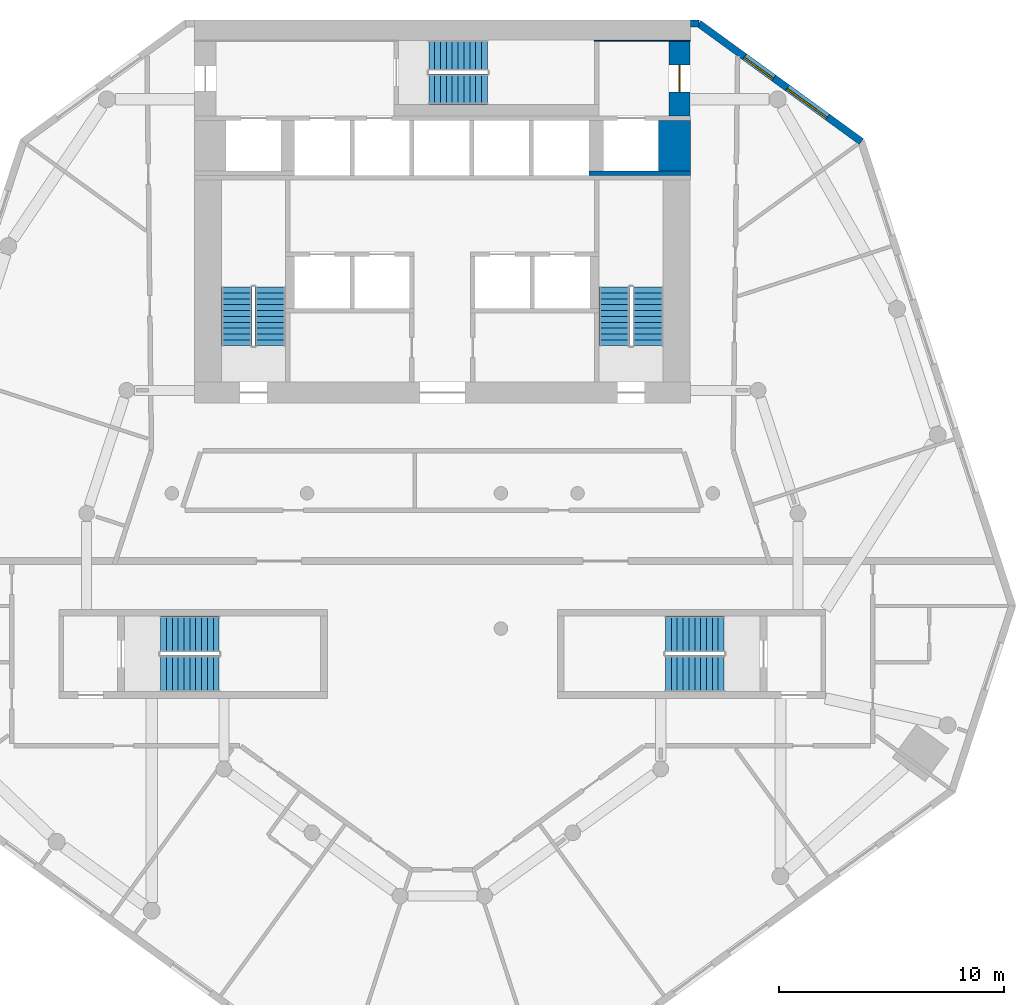
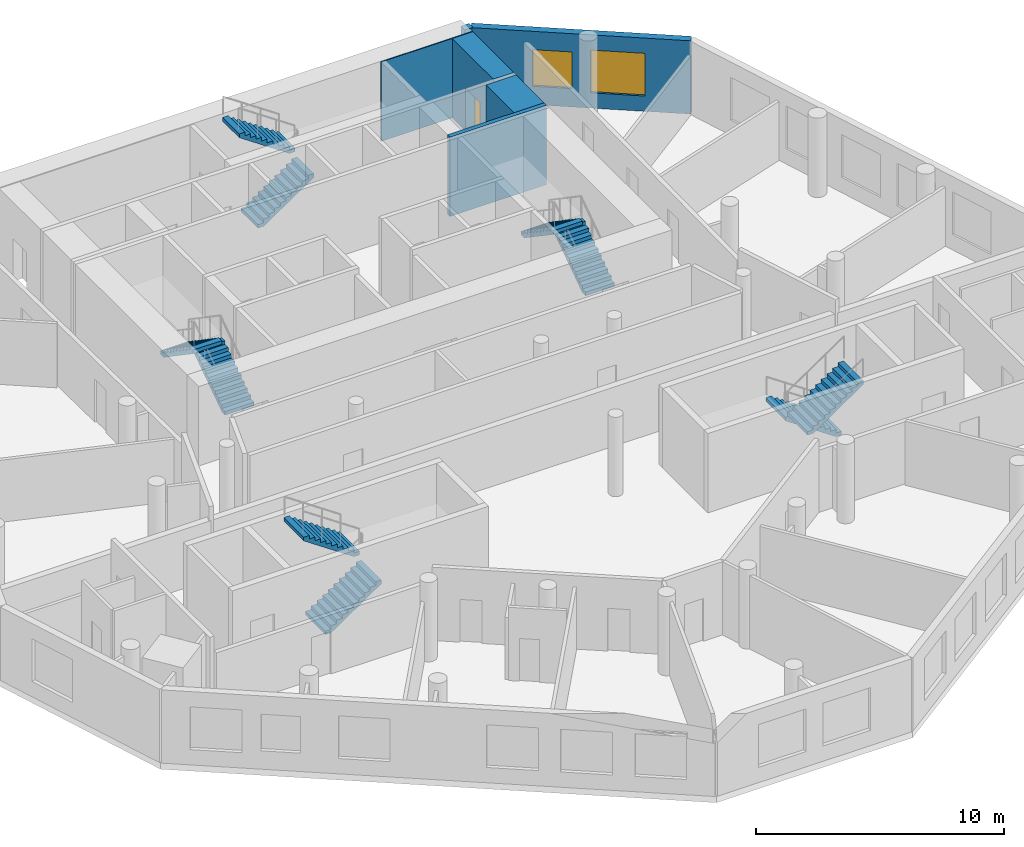
# One storey, part 6 of 8: 10 stair flights, 6 walls, 2 windows, 1 door, 3 openings, 5 elements without a shape of their own.
"""IFC4 building model written with IfcOpenShell, lengths in metres."""

from ifc_helpers import new_model, si_unit, direction, frame, frame_2d, origin, place, context, subcontext, project, spatial, polyline, rectangle, outline, extrude, material, layer, layer_set, type_object, element, fill, aggregate, save


model = new_model("IFC4")

# Units and contexts
model_context = context("Model", 3, precision=1e-05, world=origin(), true_north=direction((0.0, 1.0)))
body_context = subcontext(model_context, "Body", "Model", "MODEL_VIEW")
ifc_project = project(units=[si_unit("LENGTHUNIT", "METRE"), si_unit("AREAUNIT", "SQUARE_METRE"), si_unit("VOLUMEUNIT", "CUBIC_METRE"), si_unit("PLANEANGLEUNIT", "RADIAN"), si_unit("MASSUNIT", "GRAM", prefix="KILO")], contexts=[model_context])

# Site, building, storey
site_placement = place(None, origin())
site = spatial("IfcSite", under=ifc_project, at=site_placement, CompositionType="ELEMENT")
building_placement = place(site_placement, origin())
building = spatial("IfcBuilding", under=site, at=building_placement, Name="White Candle Pilgrim Tower", CompositionType="ELEMENT")
storey_placement = place(building_placement, frame((0.0, 0.0, 152.5)))
storey = spatial("IfcBuildingStorey", under=building, at=storey_placement, Name="L34", CompositionType="ELEMENT", Elevation=152.5)

# Walls
ifc_material_1 = material(Name="Concrete C60/75", Category="concrete")
ifc_layer_1 = layer(ifc_material_1, 1.39990234375)
ifc_layer_set_1 = layer_set([ifc_layer_1], Name="Core wall 1400 mm Concrete C60/75")
wall_type_1 = type_object("IfcWallType", Name="Core wall 1400 mm Concrete C60/75", PredefinedType="SHEAR", material=ifc_layer_set_1)
wall_1_placement = place(storey_placement, frame((80.300048828125, 81.300048828125, 0.0), z_axis=(0.0, 0.0, 1.0), x_axis=(0.0, 1.0, 0.0)))
element("IfcWall", 1, at=wall_1_placement, inside=storey, type_object=wall_type_1, Name="WL-L34-C40", PredefinedType="SHEAR", context=body_context, shape_type="SweptSolid", body=[
    extrude(rectangle(XDim=2.25, YDim=1.39990234375, at=frame_2d((1.125, 0.0))), origin(), (0.0, 0.0, 1.0), 3.89990234375),
])
ifc_layer_2 = layer(ifc_material_1, 0.199951171875)
ifc_layer_set_2 = layer_set([ifc_layer_2], Name="Core wall 200 mm Concrete C60/75")
wall_type_2 = type_object("IfcWallType", Name="Core wall 200 mm Concrete C60/75", PredefinedType="SHEAR", material=ifc_layer_set_2)
wall_2_placement = place(storey_placement, frame((76.5, 81.199951171875, 0.0), z_axis=(0.0, 0.0, 1.0), x_axis=(1.0, 0.0, 0.0)))
element("IfcWall", 2, at=wall_2_placement, inside=storey, type_object=wall_type_2, Name="WL-L34-C36", PredefinedType="SHEAR", context=body_context, shape_type="SweptSolid", body=[
    extrude(rectangle(XDim=4.5, YDim=0.199951171875, at=frame_2d((2.25, 0.0))), origin(), (0.0, 0.0, 1.0), 3.89990234375),
])

# Wall, opening, door
ifc_layer_3 = layer(ifc_material_1, 0.949951171875)
ifc_layer_set_3 = layer_set([ifc_layer_3], Name="Core wall 950 mm Concrete C60/75")
wall_type_3 = type_object("IfcWallType", Name="Core wall 950 mm Concrete C60/75", PredefinedType="SHEAR", material=ifc_layer_set_3)
wall_3_placement = place(storey_placement, frame((80.52490234375, 83.75, 0.0), z_axis=(0.0, 0.0, 1.0), x_axis=(0.0, 1.0, 0.0)))
wall_3 = element("IfcWall", 3, at=wall_3_placement, inside=storey, type_object=wall_type_3, Name="WL-L34-C44", PredefinedType="SHEAR", context=body_context, shape_type="SweptSolid", body=[
    extrude(rectangle(XDim=3.300048828125, YDim=0.949951171875, at=frame_2d((1.64990234375, 0.0))), origin(), (0.0, 0.0, 1.0), 3.89990234375),
])
opening_1_placement = place(wall_3_placement, frame((1.050048828125, 0.0, 0.0)))
opening_1 = element("IfcOpeningElement", 4, at=opening_1_placement, cuts=wall_3, Name="Opening T10-008", PredefinedType="OPENING", context=body_context, shape_type="SweptSolid", body=[
    extrude(rectangle(XDim=1.199951171875, YDim=2.10009765625, at=frame_2d((0.60009765625, 1.050048828125))), frame((0.0, 0.48486328125, 0.0), z_axis=(0.0, -1.0, 0.0), x_axis=(1.0, 0.0, 0.0)), (0.0, 0.0, 1.0), 0.969970703125),
])
ifc_material_2 = material(Name="Steel door leaf", Category="steel")
door_type = type_object("IfcDoorType", Name="Fire door 1200 x 2100 EI 30", OperationType="NOTDEFINED", PredefinedType="DOOR", material=ifc_material_2)
door_placement = place(opening_1_placement, origin())
door = element("IfcDoor", 5, at=door_placement, inside=storey, type_object=door_type, Name="Door T10-008", OperationType="SINGLE_SWING_RIGHT", OverallHeight=2.10009765625, OverallWidth=1.199951171875, PredefinedType="DOOR", context=body_context, shape_type="SweptSolid", body=[
    extrude(rectangle(XDim=1.199951171875, YDim=2.10009765625, at=frame_2d((0.60009765625, 1.050048828125))), frame((0.0, 0.02490234375, 0.0), z_axis=(0.0, -1.0, 0.0), x_axis=(1.0, 0.0, 0.0)), (0.0, 0.0, 1.0), 0.050048828125),
])
fill(opening_1, door)

# Wall, openings, windows
ifc_material_3 = material(Name="Precast concrete C40/50", Category="concrete")
ifc_layer_4 = layer(ifc_material_3, 0.320068359375)
ifc_layer_set_4 = layer_set([ifc_layer_4], Name="Facade wall EW1 precast concrete C40/50 pier wall with timber-lined reveals")
wall_type_4 = type_object("IfcWallType", Name="Facade wall EW1 precast concrete C40/50 pier wall with timber-lined reveals", PredefinedType="SOLIDWALL", material=ifc_layer_set_4)
wall_4_placement = place(storey_placement, frame((88.58935546875, 82.605712890625, 0.0), z_axis=(0.0, 0.0, 1.0), x_axis=(-0.809011042426, 0.58779344436, 0.0)))
wall_4 = element("IfcWall", 6, at=wall_4_placement, inside=storey, type_object=wall_type_4, Name="Facade wall L34 NE chamfer", PredefinedType="SOLIDWALL", context=body_context, shape_type="SweptSolid", body=[
    extrude(rectangle(XDim=8.905029296875, YDim=0.320068359375, at=frame_2d((4.45263671875, 0.0))), origin(), (0.0, 0.0, 1.0), 3.60009765625),
])
opening_2_placement = place(wall_4_placement, frame((1.8525390625, 0.0, 0.75)))
opening_2 = element("IfcOpeningElement", 7, at=opening_2_placement, cuts=wall_4, Name="Opening W4", PredefinedType="OPENING", context=body_context, shape_type="SweptSolid", body=[
    extrude(rectangle(XDim=2.199951171875, YDim=2.10009765625, at=frame_2d((1.10009765625, 1.050048828125))), frame((0.0, 0.169921875, 0.0), z_axis=(0.0, -1.0, 0.0), x_axis=(1.0, 0.0, 0.0)), (0.0, 0.0, 1.0), 0.340087890625),
])
opening_3_placement = place(wall_4_placement, frame((4.802490234375, 0.0, 0.89990234375)))
opening_3 = element("IfcOpeningElement", 8, at=opening_3_placement, cuts=wall_4, Name="Opening W2", PredefinedType="OPENING", context=body_context, shape_type="SweptSolid", body=[
    extrude(rectangle(XDim=1.60009765625, YDim=1.800048828125, at=frame_2d((0.800048828125, 0.89990234375))), frame((0.0, 0.169921875, 0.0), z_axis=(0.0, -1.0, 0.0), x_axis=(1.0, 0.0, 0.0)), (0.0, 0.0, 1.0), 0.340087890625),
])
ifc_material_4 = material(Name="Timber frame with triple glazing", Category="wood")
window_type_1 = type_object("IfcWindowType", Name="Window W2 1600x1800 timber frame triple glazing", PartitioningType="SINGLE_PANEL", PredefinedType="WINDOW", material=ifc_material_4)
window_1_placement = place(opening_3_placement, origin())
window_1 = element("IfcWindow", 9, at=window_1_placement, inside=storey, type_object=window_type_1, Name="Window W2 L34 NE chamfer 2", OverallHeight=1.800048828125, OverallWidth=1.60009765625, PartitioningType="SINGLE_PANEL", PredefinedType="WINDOW", context=body_context, shape_type="SweptSolid", body=[
    extrude(rectangle(XDim=1.60009765625, YDim=1.800048828125, at=frame_2d((0.800048828125, 0.89990234375))), frame((0.0, 0.070068359375, 0.0), z_axis=(0.0, -1.0, 0.0), x_axis=(1.0, 0.0, 0.0)), (0.0, 0.0, 1.0), 0.06005859375),
])
fill(opening_3, window_1)
window_type_2 = type_object("IfcWindowType", Name="Window W4 2200x2100 timber frame triple glazing", PartitioningType="SINGLE_PANEL", PredefinedType="WINDOW", material=ifc_material_4)
window_2_placement = place(opening_2_placement, origin())
window_2 = element("IfcWindow", 10, at=window_2_placement, inside=storey, type_object=window_type_2, Name="Window W4 L34 NE chamfer 1", OverallHeight=2.10009765625, OverallWidth=2.199951171875, PartitioningType="SINGLE_PANEL", PredefinedType="WINDOW", context=body_context, shape_type="SweptSolid", body=[
    extrude(rectangle(XDim=2.199951171875, YDim=2.10009765625, at=frame_2d((1.10009765625, 1.050048828125))), frame((0.0, 0.070068359375, 0.0), z_axis=(0.0, -1.0, 0.0), x_axis=(1.0, 0.0, 0.0)), (0.0, 0.0, 1.0), 0.06005859375),
])
fill(opening_2, window_2)

# Walls
wall_5_placement = place(storey_placement, frame((81.385009765625, 87.840087890625, 0.0), z_axis=(0.0, 0.0, 1.0), x_axis=(-1.0, 0.0, 0.0)))
element("IfcWall", 11, at=wall_5_placement, inside=storey, type_object=wall_type_4, Name="Facade wall L34 N", PredefinedType="SOLIDWALL", context=body_context, shape_type="SweptSolid", body=[
    extrude(rectangle(XDim=0.385009765625, YDim=0.320068359375, at=frame_2d((0.1923828125, 0.0))), origin(), (0.0, 0.0, 1.0), 3.60009765625),
])
ifc_layer_5 = layer(ifc_material_1, 0.050048828125)
ifc_layer_set_5 = layer_set([ifc_layer_5], Name="Stair shaft wall 50 mm Concrete C60/75")
wall_type_5 = type_object("IfcWallType", Name="Stair shaft wall 50 mm Concrete C60/75", PredefinedType="SHEAR", material=ifc_layer_set_5)
wall_6_placement = place(storey_placement, frame((76.75, 87.074951171875, 0.0), z_axis=(0.0, 0.0, 1.0), x_axis=(1.0, 0.0, 0.0)))
element("IfcWall", 12, at=wall_6_placement, inside=storey, type_object=wall_type_5, Name="WL-L34-C48", PredefinedType="SHEAR", context=body_context, shape_type="SweptSolid", body=[
    extrude(rectangle(XDim=4.25, YDim=0.050048828125, at=frame_2d((2.125, 0.0))), origin(), (0.0, 0.0, 1.0), 3.89990234375),
])

# Stair, stair flights
ifc_material_5 = material(Name="Concrete C40/50", Category="concrete")
stair_type_1 = type_object("IfcStairType", Name="Exit stair 1 flight width 1350 mm", PredefinedType="HALF_TURN_STAIR", material=ifc_material_5)
stair_1_placement = place(storey_placement, origin())
stair_1 = element("IfcStair", 13, at=stair_1_placement, inside=storey, type_object=stair_type_1, Name="L34 stair 1", PredefinedType="NOTDEFINED")
ifc_layer_6 = layer(ifc_material_5, 0.14990234375)
ifc_layer_set_6 = layer_set([ifc_layer_6], Name="Stair flight Concrete C40/50")
stair_flight_type = type_object("IfcStairFlightType", Name="Stair flight Concrete C40/50", PredefinedType="STRAIGHT", material=ifc_layer_set_6)
stair_flight_1_placement = place(storey_placement, frame((62.375, 73.550048828125, 0.0), z_axis=(0.0, 0.0, 1.0), x_axis=(0.0, 1.0, 0.0)))
stair_flight_1 = element("IfcStairFlight", 14, at=stair_flight_1_placement, type_object=stair_flight_type, Name="ST1 flight 1", NumberOfRisers=11, NumberOfTreads=10, PredefinedType="NOTDEFINED", RiserHeight=0.177272727, TreadLength=0.26, context=body_context, shape_type="SweptSolid", body=[
    extrude(outline(polyline([(0.0, 0.0), (0.0, 0.17724609375), (0.260009765625, 0.17724609375), (0.260009765625, 0.3544921875), (0.52001953125, 0.3544921875), (0.52001953125, 0.53173828125), (0.780029296875, 0.53173828125), (0.780029296875, 0.708984375), (1.0400390625, 0.708984375), (1.0400390625, 0.886474609375), (1.300048828125, 0.886474609375), (1.300048828125, 1.063720703125), (1.56005859375, 1.063720703125), (1.56005859375, 1.240966796875), (1.820068359375, 1.240966796875), (1.820068359375, 1.418212890625), (2.080078125, 1.418212890625), (2.080078125, 1.595458984375), (2.340087890625, 1.595458984375), (2.340087890625, 1.772705078125), (2.60009765625, 1.772705078125), (2.60009765625, 1.949951171875), (2.60009765625, 1.59130859375), (0.26611328125, 0.0), (0.0, 0.0)])), frame((0.0, 0.675048828125, 0.0), z_axis=(0.0, -1.0, 0.0), x_axis=(1.0, 0.0, 0.0)), (0.0, 0.0, 1.0), 1.35009765625),
])
stair_flight_2_placement = place(storey_placement, frame((60.875, 76.14990234375, 1.949951171875), z_axis=(0.0, 0.0, 1.0), x_axis=(0.0, -1.0, 0.0)))
stair_flight_2 = element("IfcStairFlight", 15, at=stair_flight_2_placement, type_object=stair_flight_type, Name="ST1 flight 2", NumberOfRisers=11, NumberOfTreads=10, PredefinedType="NOTDEFINED", RiserHeight=0.177272727, TreadLength=0.26, context=body_context, shape_type="SweptSolid", body=[
    extrude(outline(polyline([(0.0, 0.0), (0.0, 0.17724609375), (0.260009765625, 0.17724609375), (0.260009765625, 0.3544921875), (0.52001953125, 0.3544921875), (0.52001953125, 0.53173828125), (0.780029296875, 0.53173828125), (0.780029296875, 0.708984375), (1.0400390625, 0.708984375), (1.0400390625, 0.886474609375), (1.300048828125, 0.886474609375), (1.300048828125, 1.063720703125), (1.56005859375, 1.063720703125), (1.56005859375, 1.240966796875), (1.820068359375, 1.240966796875), (1.820068359375, 1.418212890625), (2.080078125, 1.418212890625), (2.080078125, 1.595458984375), (2.340087890625, 1.595458984375), (2.340087890625, 1.772705078125), (2.60009765625, 1.772705078125), (2.60009765625, 1.949951171875), (2.60009765625, 1.59130859375), (0.26611328125, 0.0), (0.0, 0.0)])), frame((0.0, 0.675048828125, 0.0), z_axis=(0.0, -1.0, 0.0), x_axis=(1.0, 0.0, 0.0)), (0.0, 0.0, 1.0), 1.35009765625),
])
aggregate(stair_1, [stair_flight_1, stair_flight_2])

stair_type_2 = type_object("IfcStairType", Name="Exit stair 2 flight width 1350 mm", PredefinedType="HALF_TURN_STAIR", material=ifc_material_5)
stair_2_placement = place(storey_placement, origin())
stair_2 = element("IfcStair", 16, at=stair_2_placement, inside=storey, type_object=stair_type_2, Name="L34 stair 2", PredefinedType="NOTDEFINED")
stair_flight_3_placement = place(storey_placement, frame((79.125, 73.550048828125, 0.0), z_axis=(0.0, 0.0, 1.0), x_axis=(0.0, 1.0, 0.0)))
stair_flight_3 = element("IfcStairFlight", 17, at=stair_flight_3_placement, type_object=stair_flight_type, Name="ST2 flight 1", NumberOfRisers=11, NumberOfTreads=10, PredefinedType="NOTDEFINED", RiserHeight=0.177272727, TreadLength=0.26, context=body_context, shape_type="SweptSolid", body=[
    extrude(outline(polyline([(0.0, 0.0), (0.0, 0.17724609375), (0.260009765625, 0.17724609375), (0.260009765625, 0.3544921875), (0.52001953125, 0.3544921875), (0.52001953125, 0.53173828125), (0.780029296875, 0.53173828125), (0.780029296875, 0.708984375), (1.0400390625, 0.708984375), (1.0400390625, 0.886474609375), (1.300048828125, 0.886474609375), (1.300048828125, 1.063720703125), (1.56005859375, 1.063720703125), (1.56005859375, 1.240966796875), (1.820068359375, 1.240966796875), (1.820068359375, 1.418212890625), (2.080078125, 1.418212890625), (2.080078125, 1.595458984375), (2.340087890625, 1.595458984375), (2.340087890625, 1.772705078125), (2.60009765625, 1.772705078125), (2.60009765625, 1.949951171875), (2.60009765625, 1.59130859375), (0.26611328125, 0.0), (0.0, 0.0)])), frame((0.0, 0.675048828125, 0.0), z_axis=(0.0, -1.0, 0.0), x_axis=(1.0, 0.0, 0.0)), (0.0, 0.0, 1.0), 1.35009765625),
])
stair_flight_4_placement = place(storey_placement, frame((77.625, 76.14990234375, 1.949951171875), z_axis=(0.0, 0.0, 1.0), x_axis=(0.0, -1.0, 0.0)))
stair_flight_4 = element("IfcStairFlight", 18, at=stair_flight_4_placement, type_object=stair_flight_type, Name="ST2 flight 2", NumberOfRisers=11, NumberOfTreads=10, PredefinedType="NOTDEFINED", RiserHeight=0.177272727, TreadLength=0.26, context=body_context, shape_type="SweptSolid", body=[
    extrude(outline(polyline([(0.0, 0.0), (0.0, 0.17724609375), (0.260009765625, 0.17724609375), (0.260009765625, 0.3544921875), (0.52001953125, 0.3544921875), (0.52001953125, 0.53173828125), (0.780029296875, 0.53173828125), (0.780029296875, 0.708984375), (1.0400390625, 0.708984375), (1.0400390625, 0.886474609375), (1.300048828125, 0.886474609375), (1.300048828125, 1.063720703125), (1.56005859375, 1.063720703125), (1.56005859375, 1.240966796875), (1.820068359375, 1.240966796875), (1.820068359375, 1.418212890625), (2.080078125, 1.418212890625), (2.080078125, 1.595458984375), (2.340087890625, 1.595458984375), (2.340087890625, 1.772705078125), (2.60009765625, 1.772705078125), (2.60009765625, 1.949951171875), (2.60009765625, 1.59130859375), (0.26611328125, 0.0), (0.0, 0.0)])), frame((0.0, 0.675048828125, 0.0), z_axis=(0.0, -1.0, 0.0), x_axis=(1.0, 0.0, 0.0)), (0.0, 0.0, 1.0), 1.35009765625),
])
aggregate(stair_2, [stair_flight_3, stair_flight_4])

stair_type_3 = type_object("IfcStairType", Name="Exit stair 3 flight width 1350 mm", PredefinedType="HALF_TURN_STAIR", material=ifc_material_5)
stair_3_placement = place(storey_placement, origin())
stair_3 = element("IfcStair", 19, at=stair_3_placement, inside=storey, type_object=stair_type_3, Name="L34 stair 3", PredefinedType="NOTDEFINED")
stair_flight_5_placement = place(storey_placement, frame((69.39990234375, 84.925048828125, 0.0), z_axis=(0.0, 0.0, 1.0), x_axis=(1.0, 0.0, 0.0)))
stair_flight_5 = element("IfcStairFlight", 20, at=stair_flight_5_placement, type_object=stair_flight_type, Name="ST3 flight 1", NumberOfRisers=11, NumberOfTreads=10, PredefinedType="NOTDEFINED", RiserHeight=0.177272727, TreadLength=0.26, context=body_context, shape_type="SweptSolid", body=[
    extrude(outline(polyline([(0.0, 0.0), (0.0, 0.17724609375), (0.260009765625, 0.17724609375), (0.260009765625, 0.3544921875), (0.52001953125, 0.3544921875), (0.52001953125, 0.53173828125), (0.780029296875, 0.53173828125), (0.780029296875, 0.708984375), (1.0400390625, 0.708984375), (1.0400390625, 0.886474609375), (1.300048828125, 0.886474609375), (1.300048828125, 1.063720703125), (1.56005859375, 1.063720703125), (1.56005859375, 1.240966796875), (1.820068359375, 1.240966796875), (1.820068359375, 1.418212890625), (2.080078125, 1.418212890625), (2.080078125, 1.595458984375), (2.340087890625, 1.595458984375), (2.340087890625, 1.772705078125), (2.60009765625, 1.772705078125), (2.60009765625, 1.949951171875), (2.60009765625, 1.59130859375), (0.26611328125, 0.0), (0.0, 0.0)])), frame((0.0, 0.675048828125, 0.0), z_axis=(0.0, -1.0, 0.0), x_axis=(1.0, 0.0, 0.0)), (0.0, 0.0, 1.0), 1.35009765625),
])
stair_flight_6_placement = place(storey_placement, frame((72.0, 86.425048828125, 1.949951171875), z_axis=(0.0, 0.0, 1.0), x_axis=(-1.0, 0.0, 0.0)))
stair_flight_6 = element("IfcStairFlight", 21, at=stair_flight_6_placement, type_object=stair_flight_type, Name="ST3 flight 2", NumberOfRisers=11, NumberOfTreads=10, PredefinedType="NOTDEFINED", RiserHeight=0.177272727, TreadLength=0.26, context=body_context, shape_type="SweptSolid", body=[
    extrude(outline(polyline([(0.0, 0.0), (0.0, 0.17724609375), (0.260009765625, 0.17724609375), (0.260009765625, 0.3544921875), (0.52001953125, 0.3544921875), (0.52001953125, 0.53173828125), (0.780029296875, 0.53173828125), (0.780029296875, 0.708984375), (1.0400390625, 0.708984375), (1.0400390625, 0.886474609375), (1.300048828125, 0.886474609375), (1.300048828125, 1.063720703125), (1.56005859375, 1.063720703125), (1.56005859375, 1.240966796875), (1.820068359375, 1.240966796875), (1.820068359375, 1.418212890625), (2.080078125, 1.418212890625), (2.080078125, 1.595458984375), (2.340087890625, 1.595458984375), (2.340087890625, 1.772705078125), (2.60009765625, 1.772705078125), (2.60009765625, 1.949951171875), (2.60009765625, 1.59130859375), (0.26611328125, 0.0), (0.0, 0.0)])), frame((0.0, 0.675048828125, 0.0), z_axis=(0.0, -1.0, 0.0), x_axis=(1.0, 0.0, 0.0)), (0.0, 0.0, 1.0), 1.35009765625),
])
aggregate(stair_3, [stair_flight_5, stair_flight_6])

stair_type_4 = type_object("IfcStairType", Name="Exit stair 4 flight width 1600 mm", PredefinedType="HALF_TURN_STAIR", material=ifc_material_5)
stair_4_placement = place(storey_placement, origin())
stair_4 = element("IfcStair", 22, at=stair_4_placement, inside=storey, type_object=stair_type_4, Name="L34 stair 4", PredefinedType="NOTDEFINED")
stair_flight_7_placement = place(storey_placement, frame((82.5, 60.75, 0.0), z_axis=(0.0, 0.0, 1.0), x_axis=(-1.0, 0.0, 0.0)))
stair_flight_7 = element("IfcStairFlight", 23, at=stair_flight_7_placement, type_object=stair_flight_type, Name="ST4 flight 1", NumberOfRisers=11, NumberOfTreads=10, PredefinedType="NOTDEFINED", RiserHeight=0.177272727, TreadLength=0.26, context=body_context, shape_type="SweptSolid", body=[
    extrude(outline(polyline([(0.0, 0.0), (0.0, 0.17724609375), (0.260009765625, 0.17724609375), (0.260009765625, 0.3544921875), (0.52001953125, 0.3544921875), (0.52001953125, 0.53173828125), (0.780029296875, 0.53173828125), (0.780029296875, 0.708984375), (1.0400390625, 0.708984375), (1.0400390625, 0.886474609375), (1.300048828125, 0.886474609375), (1.300048828125, 1.063720703125), (1.56005859375, 1.063720703125), (1.56005859375, 1.240966796875), (1.820068359375, 1.240966796875), (1.820068359375, 1.418212890625), (2.080078125, 1.418212890625), (2.080078125, 1.595458984375), (2.340087890625, 1.595458984375), (2.340087890625, 1.772705078125), (2.60009765625, 1.772705078125), (2.60009765625, 1.949951171875), (2.60009765625, 1.59130859375), (0.26611328125, 0.0), (0.0, 0.0)])), frame((0.0, 0.800048828125, 0.0), z_axis=(0.0, -1.0, 0.0), x_axis=(1.0, 0.0, 0.0)), (0.0, 0.0, 1.0), 1.60009765625),
])
stair_flight_8_placement = place(storey_placement, frame((79.89990234375, 59.0, 1.949951171875), z_axis=(0.0, 0.0, 1.0), x_axis=(1.0, 0.0, 0.0)))
stair_flight_8 = element("IfcStairFlight", 24, at=stair_flight_8_placement, type_object=stair_flight_type, Name="ST4 flight 2", NumberOfRisers=11, NumberOfTreads=10, PredefinedType="NOTDEFINED", RiserHeight=0.177272727, TreadLength=0.26, context=body_context, shape_type="SweptSolid", body=[
    extrude(outline(polyline([(0.0, 0.0), (0.0, 0.17724609375), (0.260009765625, 0.17724609375), (0.260009765625, 0.3544921875), (0.52001953125, 0.3544921875), (0.52001953125, 0.53173828125), (0.780029296875, 0.53173828125), (0.780029296875, 0.708984375), (1.0400390625, 0.708984375), (1.0400390625, 0.886474609375), (1.300048828125, 0.886474609375), (1.300048828125, 1.063720703125), (1.56005859375, 1.063720703125), (1.56005859375, 1.240966796875), (1.820068359375, 1.240966796875), (1.820068359375, 1.418212890625), (2.080078125, 1.418212890625), (2.080078125, 1.595458984375), (2.340087890625, 1.595458984375), (2.340087890625, 1.772705078125), (2.60009765625, 1.772705078125), (2.60009765625, 1.949951171875), (2.60009765625, 1.59130859375), (0.26611328125, 0.0), (0.0, 0.0)])), frame((0.0, 0.800048828125, 0.0), z_axis=(0.0, -1.0, 0.0), x_axis=(1.0, 0.0, 0.0)), (0.0, 0.0, 1.0), 1.60009765625),
])
aggregate(stair_4, [stair_flight_7, stair_flight_8])

stair_type_5 = type_object("IfcStairType", Name="Exit stair 5 flight width 1600 mm", PredefinedType="HALF_TURN_STAIR", material=ifc_material_5)
stair_5_placement = place(storey_placement, origin())
stair_5 = element("IfcStair", 25, at=stair_5_placement, inside=storey, type_object=stair_type_5, Name="L34 stair 5", PredefinedType="NOTDEFINED")
stair_flight_9_placement = place(storey_placement, frame((57.5, 59.0, 0.0), z_axis=(0.0, 0.0, 1.0), x_axis=(1.0, 0.0, 0.0)))
stair_flight_9 = element("IfcStairFlight", 26, at=stair_flight_9_placement, type_object=stair_flight_type, Name="ST5 flight 1", NumberOfRisers=11, NumberOfTreads=10, PredefinedType="NOTDEFINED", RiserHeight=0.177272727, TreadLength=0.26, context=body_context, shape_type="SweptSolid", body=[
    extrude(outline(polyline([(0.0, 0.0), (0.0, 0.17724609375), (0.260009765625, 0.17724609375), (0.260009765625, 0.3544921875), (0.52001953125, 0.3544921875), (0.52001953125, 0.53173828125), (0.780029296875, 0.53173828125), (0.780029296875, 0.708984375), (1.0400390625, 0.708984375), (1.0400390625, 0.886474609375), (1.300048828125, 0.886474609375), (1.300048828125, 1.063720703125), (1.56005859375, 1.063720703125), (1.56005859375, 1.240966796875), (1.820068359375, 1.240966796875), (1.820068359375, 1.418212890625), (2.080078125, 1.418212890625), (2.080078125, 1.595458984375), (2.340087890625, 1.595458984375), (2.340087890625, 1.772705078125), (2.60009765625, 1.772705078125), (2.60009765625, 1.949951171875), (2.60009765625, 1.59130859375), (0.26611328125, 0.0), (0.0, 0.0)])), frame((0.0, 0.800048828125, 0.0), z_axis=(0.0, -1.0, 0.0), x_axis=(1.0, 0.0, 0.0)), (0.0, 0.0, 1.0), 1.60009765625),
])
stair_flight_10_placement = place(storey_placement, frame((60.10009765625, 60.75, 1.949951171875), z_axis=(0.0, 0.0, 1.0), x_axis=(-1.0, 0.0, 0.0)))
stair_flight_10 = element("IfcStairFlight", 27, at=stair_flight_10_placement, type_object=stair_flight_type, Name="ST5 flight 2", NumberOfRisers=11, NumberOfTreads=10, PredefinedType="NOTDEFINED", RiserHeight=0.177272727, TreadLength=0.26, context=body_context, shape_type="SweptSolid", body=[
    extrude(outline(polyline([(0.0, 0.0), (0.0, 0.17724609375), (0.260009765625, 0.17724609375), (0.260009765625, 0.3544921875), (0.52001953125, 0.3544921875), (0.52001953125, 0.53173828125), (0.780029296875, 0.53173828125), (0.780029296875, 0.708984375), (1.0400390625, 0.708984375), (1.0400390625, 0.886474609375), (1.300048828125, 0.886474609375), (1.300048828125, 1.063720703125), (1.56005859375, 1.063720703125), (1.56005859375, 1.240966796875), (1.820068359375, 1.240966796875), (1.820068359375, 1.418212890625), (2.080078125, 1.418212890625), (2.080078125, 1.595458984375), (2.340087890625, 1.595458984375), (2.340087890625, 1.772705078125), (2.60009765625, 1.772705078125), (2.60009765625, 1.949951171875), (2.60009765625, 1.59130859375), (0.26611328125, 0.0), (0.0, 0.0)])), frame((0.0, 0.800048828125, 0.0), z_axis=(0.0, -1.0, 0.0), x_axis=(1.0, 0.0, 0.0)), (0.0, 0.0, 1.0), 1.60009765625),
])
aggregate(stair_5, [stair_flight_9, stair_flight_10])

save(model, "model.ifc")
